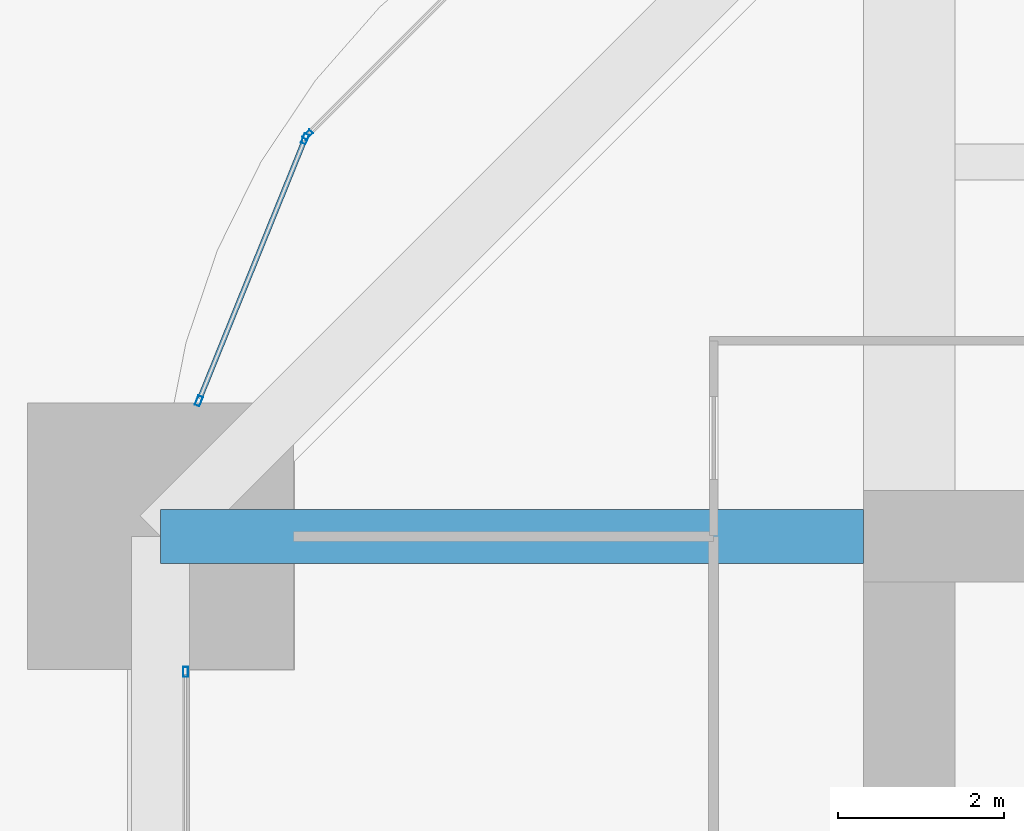
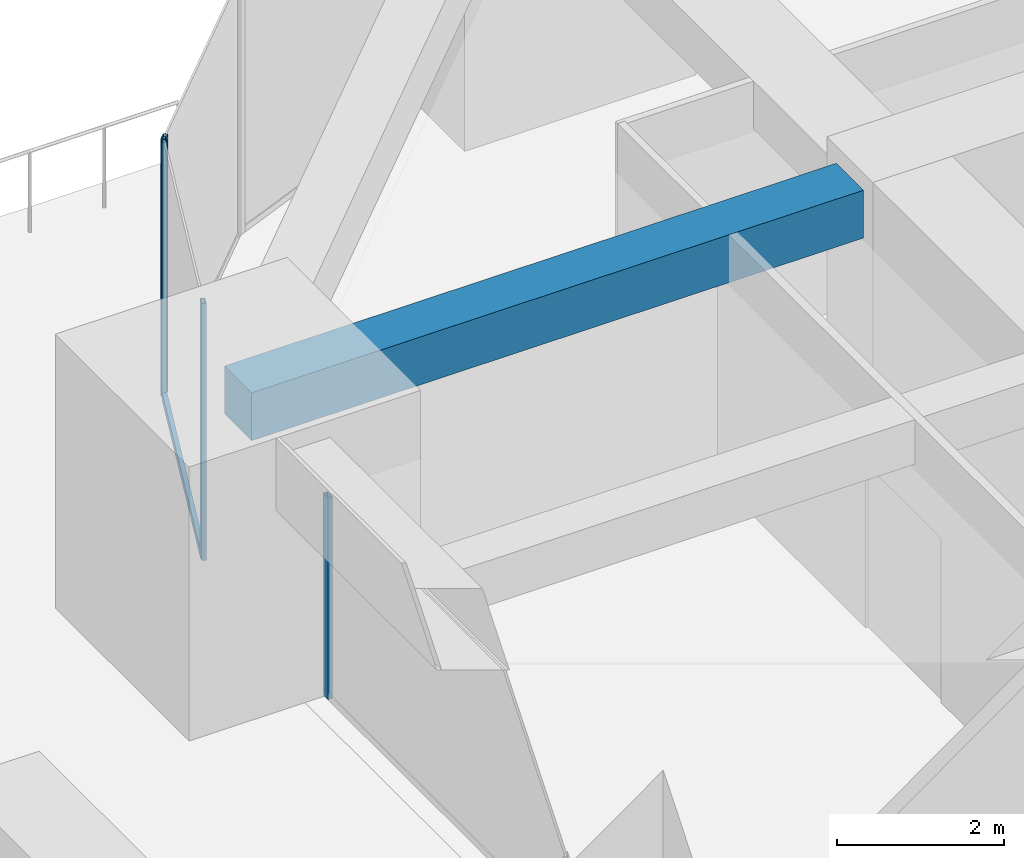
# One storey, part 23 of 40: 5 members, 1 beam, 3 elements without a shape of their own.
"""IFC4 building model written with IfcOpenShell, lengths in metres."""

from ifc_helpers import new_model, si_unit, direction, frame, origin, origin_2d, place, context, subcontext, project, spatial, rectangle, hollow_rectangle, extrude, material, material_profile, profile_set, type_object, element, aggregate, save


model = new_model("IFC4")

# Units and contexts
model_context = context("Model", 3, precision=1e-05, world=origin(), true_north=direction((0.0, 1.0)))
body_context = subcontext(model_context, "Body", "Model", "MODEL_VIEW")
ifc_project = project(units=[si_unit("LENGTHUNIT", "METRE"), si_unit("AREAUNIT", "SQUARE_METRE"), si_unit("VOLUMEUNIT", "CUBIC_METRE"), si_unit("PLANEANGLEUNIT", "RADIAN"), si_unit("MASSUNIT", "GRAM", prefix="KILO")], contexts=[model_context])

# Site, building, storey
site_placement = place(None, origin())
site = spatial("IfcSite", under=ifc_project, at=site_placement, CompositionType="ELEMENT")
building_placement = place(site_placement, origin())
building = spatial("IfcBuilding", under=site, at=building_placement, Name="Zorevar Civic Tower", CompositionType="ELEMENT")
storey_placement = place(building_placement, frame((0.0, 0.0, 239.39990234375)))
storey = spatial("IfcBuildingStorey", under=building, at=storey_placement, Name="L58", CompositionType="ELEMENT", Elevation=239.39990234375)

# Beam
ifc_material_1 = material(Name="Concrete C50/60", Category="concrete")
ifc_material_profile_1 = material_profile(ifc_material_1, rectangle(XDim=0.64990234375, YDim=0.699951171875, at=origin_2d()), Name="RC 650x700")
ifc_profile_set_1 = profile_set([ifc_material_profile_1], Name="Concrete C50/60")
beam_type = type_object("IfcBeamType", Name="Beam RC 650x700", PredefinedType="BEAM", material=ifc_profile_set_1)
beam_placement = place(storey_placement, frame((9.0, 36.0, 3.400146484375), z_axis=(1.0, 0.0, 0.0), x_axis=(0.0, 1.0, 0.0)))
element("IfcBeam", 1, at=beam_placement, inside=storey, type_object=beam_type, Name="Girder L59", PredefinedType="BEAM", context=body_context, shape_type="SweptSolid", body=[
    extrude(rectangle(XDim=0.64990234375, YDim=0.699951171875, at=origin_2d()), origin(), (0.0, 0.0, 1.0), 8.449951171875),
])

# Curtain wall, member
ifc_material_2 = material(Name="Dark grey solar-control glass in black aluminium frame", Category="aluminium")
curtain_wall_type = type_object("IfcCurtainWallType", Name="Curtain wall CW5 top zone", PredefinedType="NOTDEFINED", material=ifc_material_2)
curtain_wall_1_placement = place(storey_placement, origin())
curtain_wall_1 = element("IfcCurtainWall", 2, at=curtain_wall_1_placement, inside=storey, type_object=curtain_wall_type, Name="CW5 L58", PredefinedType="NOTDEFINED")
ifc_material_3 = material(Name="Aluminium, black anodised", Category="aluminium")
ifc_material_profile_2 = material_profile(ifc_material_3, hollow_rectangle(XDim=0.06005859375, YDim=0.1201171875, WallThickness=0.0029296875, at=origin_2d()), Name="AL 120x60x3")
ifc_profile_set_2 = profile_set([ifc_material_profile_2], Name="Aluminium, black anodised")
member_type_1 = type_object("IfcMemberType", Name="CW5 mullion AL 120x60x3", PredefinedType="MULLION", material=ifc_profile_set_2)
member_1_placement = place(storey_placement, frame((9.300048828125, 34.3701171875, 0.0), z_axis=(0.0, 0.0, 1.0), x_axis=(-1.0, 0.0, 0.0)))
member_1 = element("IfcMember", 3, at=member_1_placement, type_object=member_type_1, Name="CW5 mullion 2", PredefinedType="MULLION", context=body_context, shape_type="SweptSolid", body=[
    extrude(hollow_rectangle(XDim=0.06005859375, YDim=0.1201171875, WallThickness=0.0029296875, at=origin_2d()), origin(), (0.0, 0.0, 1.0), 2.9501953125),
])
aggregate(curtain_wall_1, [member_1])

curtain_wall_2_placement = place(storey_placement, origin())
curtain_wall_2 = element("IfcCurtainWall", 4, at=curtain_wall_2_placement, inside=storey, type_object=curtain_wall_type, Name="CW5 L58", PredefinedType="NOTDEFINED")
member_2_placement = place(storey_placement, frame((10.76904296875, 40.8271484375, 0.0), z_axis=(0.0, 0.0, 1.0), x_axis=(0.707106781187, -0.707106781187, 0.0)))
member_2 = element("IfcMember", 5, at=member_2_placement, type_object=member_type_1, Name="CW5 mullion 2", PredefinedType="MULLION", context=body_context, shape_type="SweptSolid", body=[
    extrude(hollow_rectangle(XDim=0.06005859375, YDim=0.1201171875, WallThickness=0.0029296875, at=origin_2d()), origin(), (0.0, 0.0, 1.0), 3.75),
])
aggregate(curtain_wall_2, [member_2])

# Curtain wall, members
curtain_wall_3_placement = place(storey_placement, origin())
curtain_wall_3 = element("IfcCurtainWall", 6, at=curtain_wall_3_placement, inside=storey, type_object=curtain_wall_type, Name="CW5 L58", PredefinedType="NOTDEFINED")
member_3_placement = place(storey_placement, frame((10.736572265625, 40.778076171875, 0.0), z_axis=(0.0, 0.0, 1.0), x_axis=(0.926761540227, -0.375650166453, 0.0)))
member_3 = element("IfcMember", 7, at=member_3_placement, type_object=member_type_1, Name="CW5 mullion 1", PredefinedType="MULLION", context=body_context, shape_type="SweptSolid", body=[
    extrude(hollow_rectangle(XDim=0.06005859375, YDim=0.1201171875, WallThickness=0.0029296875, at=origin_2d()), origin(), (0.0, 0.0, 1.0), 3.75),
])
member_4_placement = place(storey_placement, frame((9.459716796875, 37.627685546875, 0.0), z_axis=(0.0, 0.0, 1.0), x_axis=(0.926761540227, -0.375650166453, 0.0)))
member_4 = element("IfcMember", 8, at=member_4_placement, type_object=member_type_1, Name="CW5 mullion 2", PredefinedType="MULLION", context=body_context, shape_type="SweptSolid", body=[
    extrude(hollow_rectangle(XDim=0.06005859375, YDim=0.1201171875, WallThickness=0.0029296875, at=origin_2d()), origin(), (0.0, 0.0, 1.0), 3.75),
])
ifc_material_4 = material(Name="Aluminium, black anodised", Category="aluminium")
ifc_material_profile_3 = material_profile(ifc_material_4, hollow_rectangle(XDim=0.06005859375, YDim=0.1201171875, WallThickness=0.0029296875, at=origin_2d()), Name="AL 120x60x3")
ifc_profile_set_3 = profile_set([ifc_material_profile_3], Name="Aluminium, black anodised")
member_type_2 = type_object("IfcMemberType", Name="CW5 transom AL 120x60x3", PredefinedType="USERDEFINED", material=ifc_profile_set_3)
member_5_placement = place(storey_placement, frame((10.725341796875, 40.750244140625, 0.030029296875), z_axis=(-0.375647407638, -0.92676265847, 0.0), x_axis=(0.92676265847, -0.375647407638, 0.0)))
member_5 = element("IfcMember", 9, at=member_5_placement, type_object=member_type_2, Name="CW5 sill transom", ObjectType="TRANSOM", PredefinedType="USERDEFINED", context=body_context, shape_type="SweptSolid", body=[
    extrude(hollow_rectangle(XDim=0.06005859375, YDim=0.1201171875, WallThickness=0.0029296875, at=origin_2d()), origin(), (0.0, 0.0, 1.0), 3.33935546875),
])
aggregate(curtain_wall_3, [member_3, member_4, member_5])

save(model, "model.ifc")
